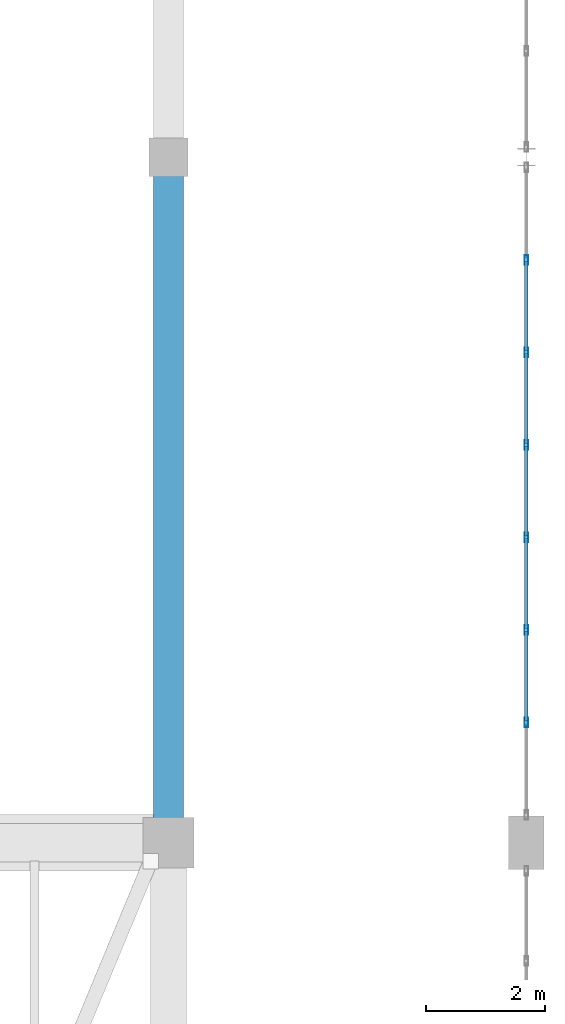
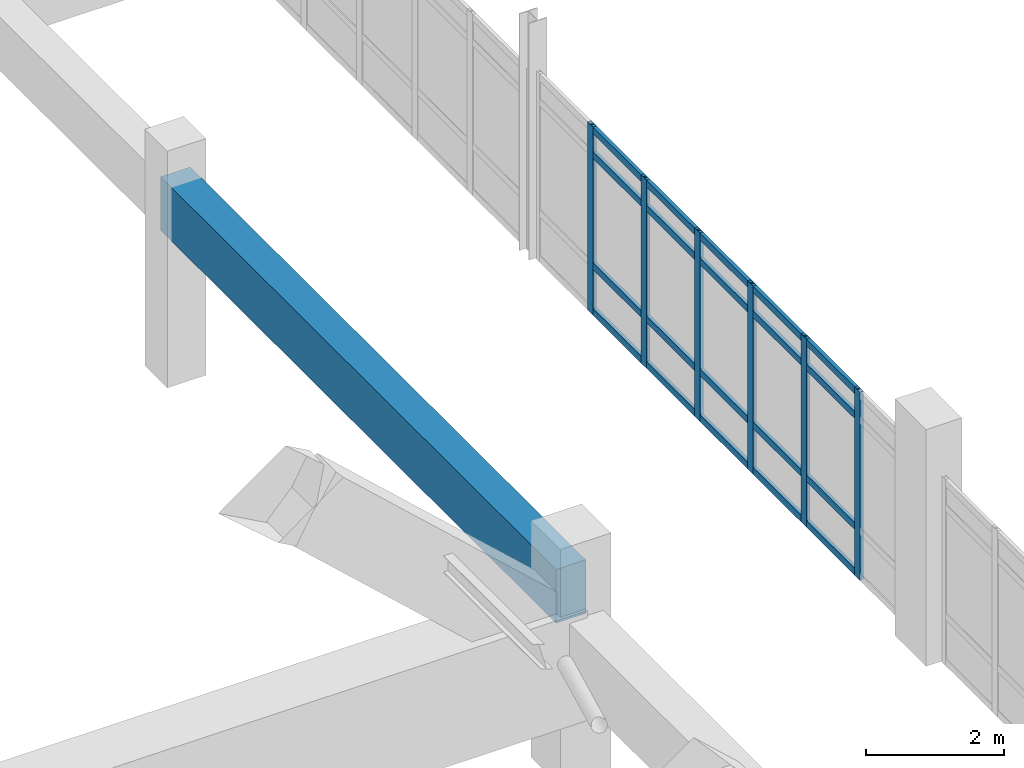
# One storey, part 85 of 111: 26 members, 1 beam, 1 element without a shape of its own.
"""IFC4 building model written with IfcOpenShell, lengths in metres."""

import ifcopenshell
import ifcopenshell.guid

model = None  # the IFC model being written
_history = None  # IfcOwnerHistory: only IFC2X3 demands one
_inside = {}  # id of a spatial element -> (the spatial element, [elements in it])
_under = {}  # id of a project, library or spatial element -> (it, [spatial elements below it])
_declared = {}  # id of a project -> (the project, [libraries it declares])
_typed = {}  # id of a type object -> (the type object, [elements of that type])
_made_of = {}  # id of a material, layer set ... -> (it, [elements and type objects made of it])


def new_model(schema):
    """Start an empty IFC model of exactly this schema.

    Asked for "IFC4X3", IfcOpenShell would pick the latest addendum, in which some entities
    have other attributes; the version numbers below select the first issue.
    IFC2X3 requires an IfcOwnerHistory on every rooted entity: one is made here for all.
    """
    global model, _history
    if schema == "IFC4X3":
        model = ifcopenshell.file(schema_version=(4, 3, 0, 0))
    else:
        model = ifcopenshell.file(schema=schema)
    _inside.clear()
    _under.clear()
    _declared.clear()
    _typed.clear()
    _made_of.clear()
    _history = None
    if model.schema == "IFC2X3":
        org = make("IfcOrganization", Name="unknown")
        user = make(
            "IfcPersonAndOrganization",
            ThePerson=make("IfcPerson", FamilyName="unknown"),
            TheOrganization=org,
        )
        app = make(
            "IfcApplication",
            ApplicationDeveloper=org,
            Version="unknown",
            ApplicationFullName="unknown",
            ApplicationIdentifier="unknown",
        )
        _history = make(
            "IfcOwnerHistory",
            OwningUser=user,
            OwningApplication=app,
            ChangeAction="ADDED",
            CreationDate=0,
        )
    return model


def make(cls, **values):
    """One entity of the class cls with the attributes given. An attribute that is None is left unset."""
    return model.create_entity(
        cls, **{name: value for name, value in values.items() if value is not None}
    )


def rooted(cls, **values):
    """An entity with a GlobalId (a new one), such as an element, a storey or a relation."""
    return make(cls, GlobalId=ifcopenshell.guid.new(), OwnerHistory=_history, **values)


def si_unit(unit_type, name, prefix=None):
    """IfcSIUnit, for example si_unit("LENGTHUNIT", "METRE", prefix="MILLI")."""
    return make("IfcSIUnit", UnitType=unit_type, Prefix=prefix, Name=name)


def assignment(units):
    """IfcUnitAssignment: the units of a project."""
    return None if units is None else make("IfcUnitAssignment", Units=units)


def point(xyz):
    """IfcCartesianPoint."""
    return None if xyz is None else make("IfcCartesianPoint", Coordinates=xyz)


def direction(xyz):
    """IfcDirection."""
    return None if xyz is None else make("IfcDirection", DirectionRatios=xyz)


def frame(location, z_axis=None, x_axis=None):
    """IfcAxis2Placement3D, a coordinate frame: its origin and axes. An axis left out is left unset."""
    return make(
        "IfcAxis2Placement3D",
        Location=point(location),
        Axis=direction(z_axis),
        RefDirection=direction(x_axis),
    )


def frame_2d(location, x_axis=None):
    """IfcAxis2Placement2D, a coordinate frame in the plane: its origin and x axis."""
    return make(
        "IfcAxis2Placement2D", Location=point(location), RefDirection=direction(x_axis)
    )


def origin():
    """The frame at (0, 0, 0) with its axes left unset."""
    return frame((0.0, 0.0, 0.0))


def origin_2d():
    """The frame at (0, 0) in the plane with its x axis left unset."""
    return frame_2d((0.0, 0.0))


def place(relative_to, where):
    """IfcLocalPlacement: puts the frame where relative to a parent placement (None: the world)."""
    return make(
        "IfcLocalPlacement", PlacementRelTo=relative_to, RelativePlacement=where
    )


def context(
    kind, dimensions, precision=None, world=None, true_north=None, identifier=None
):
    """IfcGeometricRepresentationContext, for example the 3D "Model" context."""
    return make(
        "IfcGeometricRepresentationContext",
        ContextIdentifier=identifier,
        ContextType=kind,
        CoordinateSpaceDimension=dimensions,
        Precision=precision,
        WorldCoordinateSystem=world,
        TrueNorth=true_north,
    )


def subcontext(parent, identifier, kind, view, scale=None):
    """IfcGeometricRepresentationSubContext, for example "Body" below "Model"."""
    return make(
        "IfcGeometricRepresentationSubContext",
        ContextIdentifier=identifier,
        ContextType=kind,
        ParentContext=parent,
        TargetScale=scale,
        TargetView=view,
    )


def project(units=None, contexts=None):
    """IfcProject with its units and contexts."""
    return rooted(
        "IfcProject",
        Name="project",
        RepresentationContexts=contexts,
        UnitsInContext=assignment(units),
    )


def spatial(cls, under=None, at=None, **own):
    """A site, building, storey or space (cls), placed at a placement, below another one or the project."""
    s = rooted(cls, ObjectPlacement=at, **own)
    if under is not None:
        _under.setdefault(under.id(), (under, []))[1].append(s)
    return s


def profile(cls, at=None, kind="AREA", **sizes):
    """A parametric profile (cls). Its sizes go by their IFC names, for example OverallWidth=200.0."""
    return make(cls, ProfileType=kind, Position=at, **sizes)


def rectangle(**sizes):
    """IfcRectangleProfileDef."""
    return profile("IfcRectangleProfileDef", **sizes)


def hollow_rectangle(**sizes):
    """IfcRectangleHollowProfileDef."""
    return profile("IfcRectangleHollowProfileDef", **sizes)


def extrude(swept, where, along, depth):
    """IfcExtrudedAreaSolid: the profile swept, set in the frame where, extruded along a direction by depth."""
    return make(
        "IfcExtrudedAreaSolid",
        SweptArea=swept,
        Position=where,
        ExtrudedDirection=direction(along),
        Depth=depth,
    )


def shape(context_of_items, identifier, shape_type, items):
    """IfcShapeRepresentation: the items that make up one representation, for example the "Body"."""
    return make(
        "IfcShapeRepresentation",
        ContextOfItems=context_of_items,
        RepresentationIdentifier=identifier,
        RepresentationType=shape_type,
        Items=items,
    )


def material(Name=None, Category=None):
    """IfcMaterial."""
    return make("IfcMaterial", Name=Name, Category=Category)


def layer(
    of_material, thickness, ventilated=None, Name=None, Category=None, Priority=None
):
    """IfcMaterialLayer: one layer of a wall or slab, of a material (None: an air gap)."""
    return make(
        "IfcMaterialLayer",
        Material=of_material,
        LayerThickness=thickness,
        IsVentilated=ventilated,
        Name=Name,
        Category=Category,
        Priority=Priority,
    )


def layer_set(layers, Name=None):
    """IfcMaterialLayerSet."""
    return make("IfcMaterialLayerSet", MaterialLayers=layers, LayerSetName=Name)


def material_profile(
    of_material, cross_section, Name=None, Category=None, Priority=None
):
    """IfcMaterialProfile: a cross section and its material."""
    return make(
        "IfcMaterialProfile",
        Name=Name,
        Material=of_material,
        Profile=cross_section,
        Priority=Priority,
        Category=Category,
    )


def profile_set(profiles, Name=None, composite=None):
    """IfcMaterialProfileSet."""
    return make(
        "IfcMaterialProfileSet",
        Name=Name,
        MaterialProfiles=profiles,
        CompositeProfile=composite,
    )


def made_of(thing, what):
    """Note that an element or type object is made of a material, layer set ...; save() writes the relation."""
    if what is not None:
        _made_of.setdefault(what.id(), (what, []))[1].append(thing)
    return thing


def type_object(cls, material=None, **own):
    """A type object (cls), such as IfcWallType, which elements share."""
    return made_of(rooted(cls, **own), material)


def element(
    cls,
    number,
    at=None,
    inside=None,
    cuts=None,
    type_object=None,
    material=None,
    context=None,
    identifier="Body",
    shape_type=None,
    held_by="IfcProductDefinitionShape",
    body=None,
    shapes=None,
    **own,
):
    """One element of the class cls, such as IfcWall. Its Tag is "e" and its number.

    at: its placement. inside: the storey or other place that contains it. cuts: it is an
    opening in that element (IfcRelVoidsElement). A single representation is given by context,
    identifier, shape_type and body (its items); several are given by shapes. held_by: the class
    of the entity that holds the representations. save() writes the other relations.
    """
    e = rooted(cls, Tag="e%d" % number, ObjectPlacement=at, **own)
    if body is not None:
        shapes = [shape(context, identifier, shape_type, body)]
    if shapes is not None:
        e.Representation = make(held_by, Representations=shapes)
    if inside is not None:
        _inside.setdefault(inside.id(), (inside, []))[1].append(e)
    if cuts is not None:
        rooted(
            "IfcRelVoidsElement", RelatingBuildingElement=cuts, RelatedOpeningElement=e
        )
    if type_object is not None:
        _typed.setdefault(type_object.id(), (type_object, []))[1].append(e)
    return made_of(e, material)


def aggregate(whole, parts):
    """IfcRelAggregates: a whole, such as a stair, and the parts it consists of."""
    return rooted("IfcRelAggregates", RelatingObject=whole, RelatedObjects=parts)


def save(model, path):
    """Write the relations noted so far, then the file.

    IfcRelAggregates (storeys below a building ...), IfcRelContainedInSpatialStructure (elements
    in a storey), IfcRelDefinesByType, IfcRelAssociatesMaterial and IfcRelDeclares: one each for
    every whole, place, type object, material and project.
    """
    for whole, parts in _under.values():
        aggregate(whole, parts)
    for where, things in _inside.values():
        rooted(
            "IfcRelContainedInSpatialStructure",
            RelatedElements=things,
            RelatingStructure=where,
        )
    for kind, things in _typed.values():
        rooted("IfcRelDefinesByType", RelatedObjects=things, RelatingType=kind)
    for what, things in _made_of.values():
        rooted("IfcRelAssociatesMaterial", RelatedObjects=things, RelatingMaterial=what)
    for by, libraries in _declared.values():
        rooted("IfcRelDeclares", RelatingContext=by, RelatedDefinitions=libraries)
    model.write(path)


model = new_model("IFC4")

# Units and contexts
model_context = context("Model", 3, precision=1e-05, world=origin(), true_north=direction((0.0, 1.0)))
body_context = subcontext(model_context, "Body", "Model", "MODEL_VIEW")
ifc_project = project(units=[si_unit("LENGTHUNIT", "METRE"), si_unit("AREAUNIT", "SQUARE_METRE"), si_unit("VOLUMEUNIT", "CUBIC_METRE"), si_unit("PLANEANGLEUNIT", "RADIAN"), si_unit("MASSUNIT", "GRAM", prefix="KILO")], contexts=[model_context])

# Site, building, storey
site_placement = place(None, origin())
site = spatial("IfcSite", under=ifc_project, at=site_placement, CompositionType="ELEMENT")
building_placement = place(site_placement, origin())
building = spatial("IfcBuilding", under=site, at=building_placement, Name="Mersad Railyard Sports Hall", CompositionType="ELEMENT")
storey_placement = place(building_placement, frame((0.0, 0.0, 9.0)))
storey = spatial("IfcBuildingStorey", under=building, at=storey_placement, Name="L02", CompositionType="ELEMENT", Elevation=9.0)

# Curtain wall, members
ifc_material_1 = material(Name="Aluminium 6063-T6", Category="aluminium")
ifc_layer = layer(ifc_material_1, 0.159912109375)
ifc_layer_set = layer_set([ifc_layer], Name="Aluminium 6063-T6")
curtain_wall_type = type_object("IfcCurtainWallType", Name="ARC-CW-CW20", PredefinedType="USERDEFINED", material=ifc_layer_set)
curtain_wall_placement = place(storey_placement, origin())
curtain_wall = element("IfcCurtainWall", 1, at=curtain_wall_placement, inside=storey, type_object=curtain_wall_type, Name="Curtain wall CW20-0059", ObjectType="CURTAIN WALL", PredefinedType="USERDEFINED")
ifc_material_profile_1 = material_profile(ifc_material_1, hollow_rectangle(XDim=0.06005859375, YDim=0.159912109375, WallThickness=0.00390625, at=origin_2d()), Name="AL MULLION 60x160x4")
ifc_profile_set_1 = profile_set([ifc_material_profile_1], Name="Aluminium 6063-T6")
member_type_1 = type_object("IfcMemberType", Name="ARC-CW-MUL01", PredefinedType="MULLION", material=ifc_profile_set_1)
member_1_placement = place(storey_placement, frame((179.0, 83.278564453125, -0.02001953125), z_axis=(0.0, 0.0, 1.0), x_axis=(1.0, 0.0, 0.0)))
member_1 = element("IfcMember", 2, at=member_1_placement, type_object=member_type_1, Name="CW20 Mullion 2", PredefinedType="MULLION", context=body_context, shape_type="SweptSolid", body=[
    extrude(hollow_rectangle(XDim=0.06005859375, YDim=0.159912109375, WallThickness=0.00390625, at=origin_2d()), origin(), (0.0, 0.0, 1.0), 3.340087890625),
])
member_2_placement = place(storey_placement, frame((179.0, 81.72705078125, -0.02001953125), z_axis=(0.0, 0.0, 1.0), x_axis=(1.0, 0.0, 0.0)))
member_2 = element("IfcMember", 3, at=member_2_placement, type_object=member_type_1, Name="CW20 Mullion 3", PredefinedType="MULLION", context=body_context, shape_type="SweptSolid", body=[
    extrude(hollow_rectangle(XDim=0.06005859375, YDim=0.159912109375, WallThickness=0.00390625, at=origin_2d()), origin(), (0.0, 0.0, 1.0), 3.340087890625),
])
member_3_placement = place(storey_placement, frame((179.0, 80.17578125, -0.02001953125), z_axis=(0.0, 0.0, 1.0), x_axis=(1.0, 0.0, 0.0)))
member_3 = element("IfcMember", 4, at=member_3_placement, type_object=member_type_1, Name="CW20 Mullion 4", PredefinedType="MULLION", context=body_context, shape_type="SweptSolid", body=[
    extrude(hollow_rectangle(XDim=0.06005859375, YDim=0.159912109375, WallThickness=0.00390625, at=origin_2d()), origin(), (0.0, 0.0, 1.0), 3.340087890625),
])
member_4_placement = place(storey_placement, frame((179.0, 78.624267578125, -0.02001953125), z_axis=(0.0, 0.0, 1.0), x_axis=(1.0, 0.0, 0.0)))
member_4 = element("IfcMember", 5, at=member_4_placement, type_object=member_type_1, Name="CW20 Mullion 5", PredefinedType="MULLION", context=body_context, shape_type="SweptSolid", body=[
    extrude(hollow_rectangle(XDim=0.06005859375, YDim=0.159912109375, WallThickness=0.00390625, at=origin_2d()), origin(), (0.0, 0.0, 1.0), 3.340087890625),
])
member_5_placement = place(storey_placement, frame((179.0, 77.07275390625, -0.02001953125), z_axis=(0.0, 0.0, 1.0), x_axis=(1.0, 0.0, 0.0)))
member_5 = element("IfcMember", 6, at=member_5_placement, type_object=member_type_1, Name="CW20 Mullion 6", PredefinedType="MULLION", context=body_context, shape_type="SweptSolid", body=[
    extrude(hollow_rectangle(XDim=0.06005859375, YDim=0.159912109375, WallThickness=0.00390625, at=origin_2d()), origin(), (0.0, 0.0, 1.0), 3.340087890625),
])
member_6_placement = place(storey_placement, frame((179.0, 75.521484375, -0.02001953125), z_axis=(0.0, 0.0, 1.0), x_axis=(1.0, 0.0, 0.0)))
member_6 = element("IfcMember", 7, at=member_6_placement, type_object=member_type_1, Name="CW20 Mullion 7", PredefinedType="MULLION", context=body_context, shape_type="SweptSolid", body=[
    extrude(hollow_rectangle(XDim=0.06005859375, YDim=0.159912109375, WallThickness=0.00390625, at=origin_2d()), origin(), (0.0, 0.0, 1.0), 3.340087890625),
])
ifc_material_profile_2 = material_profile(ifc_material_1, hollow_rectangle(XDim=0.06005859375, YDim=0.1201171875, WallThickness=0.00390625, at=origin_2d()), Name="AL TRANSOM 60x120x4")
ifc_profile_set_2 = profile_set([ifc_material_profile_2], Name="Aluminium 6063-T6")
member_type_2 = type_object("IfcMemberType", Name="ARC-CW-TRN01", PredefinedType="USERDEFINED", material=ifc_profile_set_2)
member_7_placement = place(storey_placement, frame((179.0, 83.258544921875, 0.0400390625), z_axis=(0.0, -1.0, 0.0), x_axis=(1.0, 0.0, 0.0)))
member_7 = element("IfcMember", 8, at=member_7_placement, type_object=member_type_2, Name="CW20 Transom 1-2", ObjectType="TRANSOM", PredefinedType="USERDEFINED", context=body_context, shape_type="SweptSolid", body=[
    extrude(hollow_rectangle(XDim=0.06005859375, YDim=0.1201171875, WallThickness=0.00390625, at=origin_2d()), origin(), (0.0, 0.0, 1.0), 1.511474609375),
])
member_8_placement = place(storey_placement, frame((179.0, 81.70703125, 0.0400390625), z_axis=(0.0, -1.0, 0.0), x_axis=(1.0, 0.0, 0.0)))
member_8 = element("IfcMember", 9, at=member_8_placement, type_object=member_type_2, Name="CW20 Transom 1-3", ObjectType="TRANSOM", PredefinedType="USERDEFINED", context=body_context, shape_type="SweptSolid", body=[
    extrude(hollow_rectangle(XDim=0.06005859375, YDim=0.1201171875, WallThickness=0.00390625, at=origin_2d()), origin(), (0.0, 0.0, 1.0), 1.51123046875),
])
member_9_placement = place(storey_placement, frame((179.0, 80.15576171875, 0.0400390625), z_axis=(0.0, -1.0, 0.0), x_axis=(1.0, 0.0, 0.0)))
member_9 = element("IfcMember", 10, at=member_9_placement, type_object=member_type_2, Name="CW20 Transom 1-4", ObjectType="TRANSOM", PredefinedType="USERDEFINED", context=body_context, shape_type="SweptSolid", body=[
    extrude(hollow_rectangle(XDim=0.06005859375, YDim=0.1201171875, WallThickness=0.00390625, at=origin_2d()), origin(), (0.0, 0.0, 1.0), 1.511474609375),
])
member_10_placement = place(storey_placement, frame((179.0, 78.604248046875, 0.0400390625), z_axis=(0.0, -1.0, 0.0), x_axis=(1.0, 0.0, 0.0)))
member_10 = element("IfcMember", 11, at=member_10_placement, type_object=member_type_2, Name="CW20 Transom 1-5", ObjectType="TRANSOM", PredefinedType="USERDEFINED", context=body_context, shape_type="SweptSolid", body=[
    extrude(hollow_rectangle(XDim=0.06005859375, YDim=0.1201171875, WallThickness=0.00390625, at=origin_2d()), origin(), (0.0, 0.0, 1.0), 1.511474609375),
])
member_11_placement = place(storey_placement, frame((179.0, 77.052978515625, 0.0400390625), z_axis=(0.0, -1.0, 0.0), x_axis=(1.0, 0.0, 0.0)))
member_11 = element("IfcMember", 12, at=member_11_placement, type_object=member_type_2, Name="CW20 Transom 1-6", ObjectType="TRANSOM", PredefinedType="USERDEFINED", context=body_context, shape_type="SweptSolid", body=[
    extrude(hollow_rectangle(XDim=0.06005859375, YDim=0.1201171875, WallThickness=0.00390625, at=origin_2d()), origin(), (0.0, 0.0, 1.0), 1.511474609375),
])
member_12_placement = place(storey_placement, frame((179.0, 83.258544921875, 0.85009765625), z_axis=(0.0, -1.0, 0.0), x_axis=(1.0, 0.0, 0.0)))
member_12 = element("IfcMember", 13, at=member_12_placement, type_object=member_type_2, Name="CW20 Transom 2-2", ObjectType="TRANSOM", PredefinedType="USERDEFINED", context=body_context, shape_type="SweptSolid", body=[
    extrude(hollow_rectangle(XDim=0.06005859375, YDim=0.1201171875, WallThickness=0.00390625, at=origin_2d()), origin(), (0.0, 0.0, 1.0), 1.511474609375),
])
member_13_placement = place(storey_placement, frame((179.0, 81.70703125, 0.85009765625), z_axis=(0.0, -1.0, 0.0), x_axis=(1.0, 0.0, 0.0)))
member_13 = element("IfcMember", 14, at=member_13_placement, type_object=member_type_2, Name="CW20 Transom 2-3", ObjectType="TRANSOM", PredefinedType="USERDEFINED", context=body_context, shape_type="SweptSolid", body=[
    extrude(hollow_rectangle(XDim=0.06005859375, YDim=0.1201171875, WallThickness=0.00390625, at=origin_2d()), origin(), (0.0, 0.0, 1.0), 1.51123046875),
])
member_14_placement = place(storey_placement, frame((179.0, 80.15576171875, 0.85009765625), z_axis=(0.0, -1.0, 0.0), x_axis=(1.0, 0.0, 0.0)))
member_14 = element("IfcMember", 15, at=member_14_placement, type_object=member_type_2, Name="CW20 Transom 2-4", ObjectType="TRANSOM", PredefinedType="USERDEFINED", context=body_context, shape_type="SweptSolid", body=[
    extrude(hollow_rectangle(XDim=0.06005859375, YDim=0.1201171875, WallThickness=0.00390625, at=origin_2d()), origin(), (0.0, 0.0, 1.0), 1.511474609375),
])
member_15_placement = place(storey_placement, frame((179.0, 78.604248046875, 0.85009765625), z_axis=(0.0, -1.0, 0.0), x_axis=(1.0, 0.0, 0.0)))
member_15 = element("IfcMember", 16, at=member_15_placement, type_object=member_type_2, Name="CW20 Transom 2-5", ObjectType="TRANSOM", PredefinedType="USERDEFINED", context=body_context, shape_type="SweptSolid", body=[
    extrude(hollow_rectangle(XDim=0.06005859375, YDim=0.1201171875, WallThickness=0.00390625, at=origin_2d()), origin(), (0.0, 0.0, 1.0), 1.511474609375),
])
member_16_placement = place(storey_placement, frame((179.0, 77.052978515625, 0.85009765625), z_axis=(0.0, -1.0, 0.0), x_axis=(1.0, 0.0, 0.0)))
member_16 = element("IfcMember", 17, at=member_16_placement, type_object=member_type_2, Name="CW20 Transom 2-6", ObjectType="TRANSOM", PredefinedType="USERDEFINED", context=body_context, shape_type="SweptSolid", body=[
    extrude(hollow_rectangle(XDim=0.06005859375, YDim=0.1201171875, WallThickness=0.00390625, at=origin_2d()), origin(), (0.0, 0.0, 1.0), 1.511474609375),
])
member_17_placement = place(storey_placement, frame((179.0, 83.258544921875, 2.820068359375), z_axis=(0.0, -1.0, 0.0), x_axis=(1.0, 0.0, 0.0)))
member_17 = element("IfcMember", 18, at=member_17_placement, type_object=member_type_2, Name="CW20 Transom 3-2", ObjectType="TRANSOM", PredefinedType="USERDEFINED", context=body_context, shape_type="SweptSolid", body=[
    extrude(hollow_rectangle(XDim=0.06005859375, YDim=0.1201171875, WallThickness=0.00390625, at=origin_2d()), origin(), (0.0, 0.0, 1.0), 1.511474609375),
])
member_18_placement = place(storey_placement, frame((179.0, 81.70703125, 2.820068359375), z_axis=(0.0, -1.0, 0.0), x_axis=(1.0, 0.0, 0.0)))
member_18 = element("IfcMember", 19, at=member_18_placement, type_object=member_type_2, Name="CW20 Transom 3-3", ObjectType="TRANSOM", PredefinedType="USERDEFINED", context=body_context, shape_type="SweptSolid", body=[
    extrude(hollow_rectangle(XDim=0.06005859375, YDim=0.1201171875, WallThickness=0.00390625, at=origin_2d()), origin(), (0.0, 0.0, 1.0), 1.51123046875),
])
member_19_placement = place(storey_placement, frame((179.0, 80.15576171875, 2.820068359375), z_axis=(0.0, -1.0, 0.0), x_axis=(1.0, 0.0, 0.0)))
member_19 = element("IfcMember", 20, at=member_19_placement, type_object=member_type_2, Name="CW20 Transom 3-4", ObjectType="TRANSOM", PredefinedType="USERDEFINED", context=body_context, shape_type="SweptSolid", body=[
    extrude(hollow_rectangle(XDim=0.06005859375, YDim=0.1201171875, WallThickness=0.00390625, at=origin_2d()), origin(), (0.0, 0.0, 1.0), 1.511474609375),
])
member_20_placement = place(storey_placement, frame((179.0, 78.604248046875, 2.820068359375), z_axis=(0.0, -1.0, 0.0), x_axis=(1.0, 0.0, 0.0)))
member_20 = element("IfcMember", 21, at=member_20_placement, type_object=member_type_2, Name="CW20 Transom 3-5", ObjectType="TRANSOM", PredefinedType="USERDEFINED", context=body_context, shape_type="SweptSolid", body=[
    extrude(hollow_rectangle(XDim=0.06005859375, YDim=0.1201171875, WallThickness=0.00390625, at=origin_2d()), origin(), (0.0, 0.0, 1.0), 1.511474609375),
])
member_21_placement = place(storey_placement, frame((179.0, 77.052978515625, 2.820068359375), z_axis=(0.0, -1.0, 0.0), x_axis=(1.0, 0.0, 0.0)))
member_21 = element("IfcMember", 22, at=member_21_placement, type_object=member_type_2, Name="CW20 Transom 3-6", ObjectType="TRANSOM", PredefinedType="USERDEFINED", context=body_context, shape_type="SweptSolid", body=[
    extrude(hollow_rectangle(XDim=0.06005859375, YDim=0.1201171875, WallThickness=0.00390625, at=origin_2d()), origin(), (0.0, 0.0, 1.0), 1.511474609375),
])
member_22_placement = place(storey_placement, frame((179.0, 83.258544921875, 3.260009765625), z_axis=(0.0, -1.0, 0.0), x_axis=(1.0, 0.0, 0.0)))
member_22 = element("IfcMember", 23, at=member_22_placement, type_object=member_type_2, Name="CW20 Transom 4-2", ObjectType="TRANSOM", PredefinedType="USERDEFINED", context=body_context, shape_type="SweptSolid", body=[
    extrude(hollow_rectangle(XDim=0.06005859375, YDim=0.1201171875, WallThickness=0.00390625, at=origin_2d()), origin(), (0.0, 0.0, 1.0), 1.511474609375),
])
member_23_placement = place(storey_placement, frame((179.0, 81.70703125, 3.260009765625), z_axis=(0.0, -1.0, 0.0), x_axis=(1.0, 0.0, 0.0)))
member_23 = element("IfcMember", 24, at=member_23_placement, type_object=member_type_2, Name="CW20 Transom 4-3", ObjectType="TRANSOM", PredefinedType="USERDEFINED", context=body_context, shape_type="SweptSolid", body=[
    extrude(hollow_rectangle(XDim=0.06005859375, YDim=0.1201171875, WallThickness=0.00390625, at=origin_2d()), origin(), (0.0, 0.0, 1.0), 1.51123046875),
])
member_24_placement = place(storey_placement, frame((179.0, 80.15576171875, 3.260009765625), z_axis=(0.0, -1.0, 0.0), x_axis=(1.0, 0.0, 0.0)))
member_24 = element("IfcMember", 25, at=member_24_placement, type_object=member_type_2, Name="CW20 Transom 4-4", ObjectType="TRANSOM", PredefinedType="USERDEFINED", context=body_context, shape_type="SweptSolid", body=[
    extrude(hollow_rectangle(XDim=0.06005859375, YDim=0.1201171875, WallThickness=0.00390625, at=origin_2d()), origin(), (0.0, 0.0, 1.0), 1.511474609375),
])
member_25_placement = place(storey_placement, frame((179.0, 78.604248046875, 3.260009765625), z_axis=(0.0, -1.0, 0.0), x_axis=(1.0, 0.0, 0.0)))
member_25 = element("IfcMember", 26, at=member_25_placement, type_object=member_type_2, Name="CW20 Transom 4-5", ObjectType="TRANSOM", PredefinedType="USERDEFINED", context=body_context, shape_type="SweptSolid", body=[
    extrude(hollow_rectangle(XDim=0.06005859375, YDim=0.1201171875, WallThickness=0.00390625, at=origin_2d()), origin(), (0.0, 0.0, 1.0), 1.511474609375),
])
member_26_placement = place(storey_placement, frame((179.0, 77.052978515625, 3.260009765625), z_axis=(0.0, -1.0, 0.0), x_axis=(1.0, 0.0, 0.0)))
member_26 = element("IfcMember", 27, at=member_26_placement, type_object=member_type_2, Name="CW20 Transom 4-6", ObjectType="TRANSOM", PredefinedType="USERDEFINED", context=body_context, shape_type="SweptSolid", body=[
    extrude(hollow_rectangle(XDim=0.06005859375, YDim=0.1201171875, WallThickness=0.00390625, at=origin_2d()), origin(), (0.0, 0.0, 1.0), 1.511474609375),
])
aggregate(curtain_wall, [member_1, member_2, member_3, member_4, member_5, member_6, member_7, member_8, member_9, member_10, member_11, member_12, member_13, member_14, member_15, member_16, member_17, member_18, member_19, member_20, member_21, member_22, member_23, member_24, member_25, member_26])

# Beam
ifc_material_2 = material(Name="Concrete C50/60", Category="concrete")
ifc_material_profile_3 = material_profile(ifc_material_2, rectangle(XDim=0.5, YDim=0.949951171875, at=origin_2d()), Name="RC 500x950")
ifc_profile_set_3 = profile_set([ifc_material_profile_3], Name="Concrete C50/60")
beam_type = type_object("IfcBeamType", Name="STR-BM-B03", PredefinedType="BEAM", material=ifc_profile_set_3)
beam_placement = place(storey_placement, frame((173.0, 73.5, 3.050048828125), z_axis=(0.0, 1.0, 0.0), x_axis=(-1.0, 0.0, 0.0)))
element("IfcBeam", 28, at=beam_placement, inside=storey, type_object=beam_type, Name="Beam B03-1577", PredefinedType="BEAM", context=body_context, shape_type="SweptSolid", body=[
    extrude(rectangle(XDim=0.5, YDim=0.949951171875, at=origin_2d()), origin(), (0.0, 0.0, 1.0), 11.5),
])

save(model, "model.ifc")
